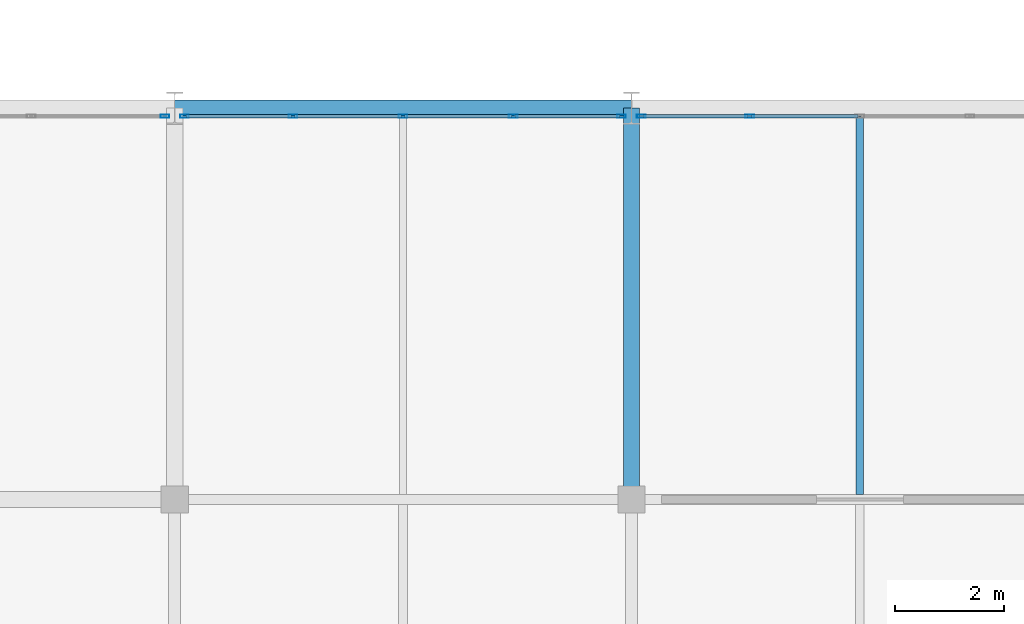
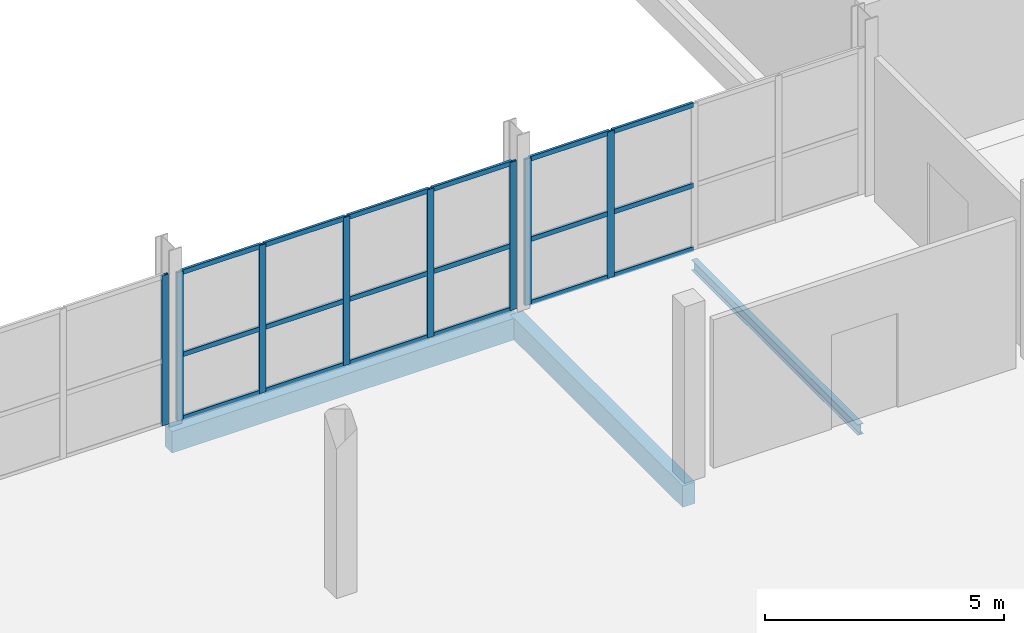
# One storey, part 45 of 109: 26 members, 3 beams, 3 elements without a shape of their own.
"""IFC4 building model written with IfcOpenShell, lengths in metres."""

from ifc_helpers import new_model, si_unit, direction, frame, origin, origin_2d, place, context, subcontext, project, spatial, rectangle, hollow_rectangle, i_section, extrude, material, material_profile, profile_set, type_object, element, aggregate, save


model = new_model("IFC4")

# Units and contexts
model_context = context("Model", 3, precision=1e-05, world=origin(), true_north=direction((0.0, 1.0)))
body_context = subcontext(model_context, "Body", "Model", "MODEL_VIEW")
ifc_project = project(units=[si_unit("LENGTHUNIT", "METRE"), si_unit("AREAUNIT", "SQUARE_METRE"), si_unit("VOLUMEUNIT", "CUBIC_METRE"), si_unit("PLANEANGLEUNIT", "RADIAN"), si_unit("MASSUNIT", "GRAM", prefix="KILO")], contexts=[model_context])

# Site, building, storey
site_placement = place(None, origin())
site = spatial("IfcSite", under=ifc_project, at=site_placement, CompositionType="ELEMENT")
building_placement = place(site_placement, origin())
building = spatial("IfcBuilding", under=site, at=building_placement, Name="Veltarok Museum of Natural Sciences", CompositionType="ELEMENT")
storey_placement = place(building_placement, frame((0.0, 0.0, 17.39990234375)))
storey = spatial("IfcBuildingStorey", under=building, at=storey_placement, Name="L03", CompositionType="ELEMENT", Elevation=17.39990234375)

# Curtain wall, members
ifc_material_1 = material(Name="Low-iron triple insulated glass", Category="glass")
curtain_wall_type_1 = type_object("IfcCurtainWallType", Name="Curtain Wall System CW-V5CN-L03-2-810x378 (CW-V5CN L03 810x378cm)", PredefinedType="NOTDEFINED", material=ifc_material_1)
curtain_wall_1_placement = place(storey_placement, origin())
curtain_wall_1 = element("IfcCurtainWall", 1, at=curtain_wall_1_placement, inside=storey, type_object=curtain_wall_type_1, Name="Curtain Wall CW-V5CN-L03-2-810x378 CW-0194", PredefinedType="NOTDEFINED")
ifc_material_2 = material(Name="Thermally broken anodised aluminium", Category="aluminium")
ifc_material_profile_1 = material_profile(ifc_material_2, hollow_rectangle(XDim=0.06005859375, YDim=0.1201171875, WallThickness=0.0048828125, at=origin_2d()), Name="CW TRANSOM 60x120x5")
ifc_profile_set_1 = profile_set([ifc_material_profile_1], Name="Thermally broken anodised aluminium")
member_type_1 = type_object("IfcMemberType", Name="Curtain Wall Horizontal Transom 60x120x5", PredefinedType="USERDEFINED", material=ifc_profile_set_1)
member_1_placement = place(storey_placement, frame((123.7900390625, 26.25, 0.028076171875), z_axis=(-1.0, 0.0, 0.0), x_axis=(0.0, -1.0, 0.0)))
member_1 = element("IfcMember", 2, at=member_1_placement, type_object=member_type_1, Name="CW-V5CN-L03-2-810x378 transom 1.1", ObjectType="TRANSOM", PredefinedType="USERDEFINED", context=body_context, shape_type="SweptSolid", body=[
    extrude(hollow_rectangle(XDim=0.06005859375, YDim=0.1201171875, WallThickness=0.0048828125, at=origin_2d()), origin(), (0.0, 0.0, 1.0), 1.93505859375),
])
member_2_placement = place(storey_placement, frame((123.7900390625, 26.25, 1.648193359375), z_axis=(-1.0, 0.0, 0.0), x_axis=(0.0, -1.0, 0.0)))
member_2 = element("IfcMember", 3, at=member_2_placement, type_object=member_type_1, Name="CW-V5CN-L03-2-810x378 transom 1.2", ObjectType="TRANSOM", PredefinedType="USERDEFINED", context=body_context, shape_type="SweptSolid", body=[
    extrude(hollow_rectangle(XDim=0.06005859375, YDim=0.1201171875, WallThickness=0.0048828125, at=origin_2d()), origin(), (0.0, 0.0, 1.0), 1.93505859375),
])
member_3_placement = place(storey_placement, frame((123.7900390625, 26.25, 3.75), z_axis=(-1.0, 0.0, 0.0), x_axis=(0.0, -1.0, 0.0)))
member_3 = element("IfcMember", 4, at=member_3_placement, type_object=member_type_1, Name="CW-V5CN-L03-2-810x378 transom 1.3", ObjectType="TRANSOM", PredefinedType="USERDEFINED", context=body_context, shape_type="SweptSolid", body=[
    extrude(hollow_rectangle(XDim=0.06005859375, YDim=0.1201171875, WallThickness=0.0048828125, at=origin_2d()), origin(), (0.0, 0.0, 1.0), 1.93505859375),
])
member_4_placement = place(storey_placement, frame((121.794921875, 26.25, 0.028076171875), z_axis=(-1.0, 0.0, 0.0), x_axis=(0.0, -1.0, 0.0)))
member_4 = element("IfcMember", 5, at=member_4_placement, type_object=member_type_1, Name="CW-V5CN-L03-2-810x378 transom 2.1", ObjectType="TRANSOM", PredefinedType="USERDEFINED", context=body_context, shape_type="SweptSolid", body=[
    extrude(hollow_rectangle(XDim=0.06005859375, YDim=0.1201171875, WallThickness=0.0048828125, at=origin_2d()), origin(), (0.0, 0.0, 1.0), 1.96484375),
])
member_5_placement = place(storey_placement, frame((121.794921875, 26.25, 1.648193359375), z_axis=(-1.0, 0.0, 0.0), x_axis=(0.0, -1.0, 0.0)))
member_5 = element("IfcMember", 6, at=member_5_placement, type_object=member_type_1, Name="CW-V5CN-L03-2-810x378 transom 2.2", ObjectType="TRANSOM", PredefinedType="USERDEFINED", context=body_context, shape_type="SweptSolid", body=[
    extrude(hollow_rectangle(XDim=0.06005859375, YDim=0.1201171875, WallThickness=0.0048828125, at=origin_2d()), origin(), (0.0, 0.0, 1.0), 1.96484375),
])
member_6_placement = place(storey_placement, frame((121.794921875, 26.25, 3.75), z_axis=(-1.0, 0.0, 0.0), x_axis=(0.0, -1.0, 0.0)))
member_6 = element("IfcMember", 7, at=member_6_placement, type_object=member_type_1, Name="CW-V5CN-L03-2-810x378 transom 2.3", ObjectType="TRANSOM", PredefinedType="USERDEFINED", context=body_context, shape_type="SweptSolid", body=[
    extrude(hollow_rectangle(XDim=0.06005859375, YDim=0.1201171875, WallThickness=0.0048828125, at=origin_2d()), origin(), (0.0, 0.0, 1.0), 1.96484375),
])
member_7_placement = place(storey_placement, frame((119.77001953125, 26.25, 0.028076171875), z_axis=(-1.0, 0.0, 0.0), x_axis=(0.0, -1.0, 0.0)))
member_7 = element("IfcMember", 8, at=member_7_placement, type_object=member_type_1, Name="CW-V5CN-L03-2-810x378 transom 3.1", ObjectType="TRANSOM", PredefinedType="USERDEFINED", context=body_context, shape_type="SweptSolid", body=[
    extrude(hollow_rectangle(XDim=0.06005859375, YDim=0.1201171875, WallThickness=0.0048828125, at=origin_2d()), origin(), (0.0, 0.0, 1.0), 1.965087890625),
])
member_8_placement = place(storey_placement, frame((119.77001953125, 26.25, 1.648193359375), z_axis=(-1.0, 0.0, 0.0), x_axis=(0.0, -1.0, 0.0)))
member_8 = element("IfcMember", 9, at=member_8_placement, type_object=member_type_1, Name="CW-V5CN-L03-2-810x378 transom 3.2", ObjectType="TRANSOM", PredefinedType="USERDEFINED", context=body_context, shape_type="SweptSolid", body=[
    extrude(hollow_rectangle(XDim=0.06005859375, YDim=0.1201171875, WallThickness=0.0048828125, at=origin_2d()), origin(), (0.0, 0.0, 1.0), 1.965087890625),
])
member_9_placement = place(storey_placement, frame((119.77001953125, 26.25, 3.75), z_axis=(-1.0, 0.0, 0.0), x_axis=(0.0, -1.0, 0.0)))
member_9 = element("IfcMember", 10, at=member_9_placement, type_object=member_type_1, Name="CW-V5CN-L03-2-810x378 transom 3.3", ObjectType="TRANSOM", PredefinedType="USERDEFINED", context=body_context, shape_type="SweptSolid", body=[
    extrude(hollow_rectangle(XDim=0.06005859375, YDim=0.1201171875, WallThickness=0.0048828125, at=origin_2d()), origin(), (0.0, 0.0, 1.0), 1.965087890625),
])
member_10_placement = place(storey_placement, frame((117.7451171875, 26.25, 0.028076171875), z_axis=(-1.0, 0.0, 0.0), x_axis=(0.0, -1.0, 0.0)))
member_10 = element("IfcMember", 11, at=member_10_placement, type_object=member_type_1, Name="CW-V5CN-L03-2-810x378 transom 4.1", ObjectType="TRANSOM", PredefinedType="USERDEFINED", context=body_context, shape_type="SweptSolid", body=[
    extrude(hollow_rectangle(XDim=0.06005859375, YDim=0.1201171875, WallThickness=0.0048828125, at=origin_2d()), origin(), (0.0, 0.0, 1.0), 1.93505859375),
])
member_11_placement = place(storey_placement, frame((117.7451171875, 26.25, 1.648193359375), z_axis=(-1.0, 0.0, 0.0), x_axis=(0.0, -1.0, 0.0)))
member_11 = element("IfcMember", 12, at=member_11_placement, type_object=member_type_1, Name="CW-V5CN-L03-2-810x378 transom 4.2", ObjectType="TRANSOM", PredefinedType="USERDEFINED", context=body_context, shape_type="SweptSolid", body=[
    extrude(hollow_rectangle(XDim=0.06005859375, YDim=0.1201171875, WallThickness=0.0048828125, at=origin_2d()), origin(), (0.0, 0.0, 1.0), 1.93505859375),
])
member_12_placement = place(storey_placement, frame((117.7451171875, 26.25, 3.75), z_axis=(-1.0, 0.0, 0.0), x_axis=(0.0, -1.0, 0.0)))
member_12 = element("IfcMember", 13, at=member_12_placement, type_object=member_type_1, Name="CW-V5CN-L03-2-810x378 transom 4.3", ObjectType="TRANSOM", PredefinedType="USERDEFINED", context=body_context, shape_type="SweptSolid", body=[
    extrude(hollow_rectangle(XDim=0.06005859375, YDim=0.1201171875, WallThickness=0.0048828125, at=origin_2d()), origin(), (0.0, 0.0, 1.0), 1.93505859375),
])

curtain_wall_type_2 = type_object("IfcCurtainWallType", Name="Curtain Wall System CW-V5CN-L03-3-810x373 (CW-V5CN L03 810x373cm)", PredefinedType="NOTDEFINED", material=ifc_material_1)
curtain_wall_2_placement = place(storey_placement, origin())
curtain_wall_2 = element("IfcCurtainWall", 14, at=curtain_wall_2_placement, inside=storey, type_object=curtain_wall_type_2, Name="Curtain Wall CW-V5CN-L03-3-810x373 CW-0195", PredefinedType="NOTDEFINED")
member_13_placement = place(storey_placement, frame((128.169921875, 26.25, 0.028076171875), z_axis=(-1.0, 0.0, 0.0), x_axis=(0.0, -1.0, 0.0)))
member_13 = element("IfcMember", 15, at=member_13_placement, type_object=member_type_1, Name="CW-V5CN-L03-3-810x373 transom 3.1", ObjectType="TRANSOM", PredefinedType="USERDEFINED", context=body_context, shape_type="SweptSolid", body=[
    extrude(hollow_rectangle(XDim=0.06005859375, YDim=0.1201171875, WallThickness=0.0048828125, at=origin_2d()), origin(), (0.0, 0.0, 1.0), 1.96484375),
])
member_14_placement = place(storey_placement, frame((128.169921875, 26.25, 1.648193359375), z_axis=(-1.0, 0.0, 0.0), x_axis=(0.0, -1.0, 0.0)))
member_14 = element("IfcMember", 16, at=member_14_placement, type_object=member_type_1, Name="CW-V5CN-L03-3-810x373 transom 3.2", ObjectType="TRANSOM", PredefinedType="USERDEFINED", context=body_context, shape_type="SweptSolid", body=[
    extrude(hollow_rectangle(XDim=0.06005859375, YDim=0.1201171875, WallThickness=0.0048828125, at=origin_2d()), origin(), (0.0, 0.0, 1.0), 1.96484375),
])
member_15_placement = place(storey_placement, frame((128.169921875, 26.25, 3.7001953125), z_axis=(-1.0, 0.0, 0.0), x_axis=(0.0, -1.0, 0.0)))
member_15 = element("IfcMember", 17, at=member_15_placement, type_object=member_type_1, Name="CW-V5CN-L03-3-810x373 transom 3.3", ObjectType="TRANSOM", PredefinedType="USERDEFINED", context=body_context, shape_type="SweptSolid", body=[
    extrude(hollow_rectangle(XDim=0.06005859375, YDim=0.1201171875, WallThickness=0.0048828125, at=origin_2d()), origin(), (0.0, 0.0, 1.0), 1.96484375),
])
member_16_placement = place(storey_placement, frame((126.14501953125, 26.25, 0.028076171875), z_axis=(-1.0, 0.0, 0.0), x_axis=(0.0, -1.0, 0.0)))
member_16 = element("IfcMember", 18, at=member_16_placement, type_object=member_type_1, Name="CW-V5CN-L03-3-810x373 transom 4.1", ObjectType="TRANSOM", PredefinedType="USERDEFINED", context=body_context, shape_type="SweptSolid", body=[
    extrude(hollow_rectangle(XDim=0.06005859375, YDim=0.1201171875, WallThickness=0.0048828125, at=origin_2d()), origin(), (0.0, 0.0, 1.0), 1.93505859375),
])
member_17_placement = place(storey_placement, frame((126.14501953125, 26.25, 1.648193359375), z_axis=(-1.0, 0.0, 0.0), x_axis=(0.0, -1.0, 0.0)))
member_17 = element("IfcMember", 19, at=member_17_placement, type_object=member_type_1, Name="CW-V5CN-L03-3-810x373 transom 4.2", ObjectType="TRANSOM", PredefinedType="USERDEFINED", context=body_context, shape_type="SweptSolid", body=[
    extrude(hollow_rectangle(XDim=0.06005859375, YDim=0.1201171875, WallThickness=0.0048828125, at=origin_2d()), origin(), (0.0, 0.0, 1.0), 1.93505859375),
])
member_18_placement = place(storey_placement, frame((126.14501953125, 26.25, 3.7001953125), z_axis=(-1.0, 0.0, 0.0), x_axis=(0.0, -1.0, 0.0)))
member_18 = element("IfcMember", 20, at=member_18_placement, type_object=member_type_1, Name="CW-V5CN-L03-3-810x373 transom 4.3", ObjectType="TRANSOM", PredefinedType="USERDEFINED", context=body_context, shape_type="SweptSolid", body=[
    extrude(hollow_rectangle(XDim=0.06005859375, YDim=0.1201171875, WallThickness=0.0048828125, at=origin_2d()), origin(), (0.0, 0.0, 1.0), 1.93505859375),
])

# Curtain wall, member
curtain_wall_type_3 = type_object("IfcCurtainWallType", Name="Curtain Wall System CW-V5CN-L03-1-747x383 (CW-V5CN L03 747x383cm)", PredefinedType="NOTDEFINED", material=ifc_material_1)
curtain_wall_3_placement = place(storey_placement, origin())
curtain_wall_3 = element("IfcCurtainWall", 21, at=curtain_wall_3_placement, inside=storey, type_object=curtain_wall_type_3, Name="Curtain Wall CW-V5CN-L03-1-747x383 CW-0193", PredefinedType="NOTDEFINED")
ifc_material_profile_2 = material_profile(ifc_material_2, hollow_rectangle(XDim=0.06005859375, YDim=0.159912109375, WallThickness=0.0048828125, at=origin_2d()), Name="CW MULLION 60x160x5")
ifc_profile_set_2 = profile_set([ifc_material_profile_2], Name="Thermally broken anodised aluminium")
member_type_2 = type_object("IfcMemberType", Name="Curtain Wall Vertical Mullion 60x160x5", PredefinedType="MULLION", material=ifc_profile_set_2)
member_19_placement = place(storey_placement, frame((115.419921875, 26.25, -0.001953125), z_axis=(0.0, 0.0, 1.0), x_axis=(0.0, -1.0, 0.0)))
member_19 = element("IfcMember", 22, at=member_19_placement, type_object=member_type_2, Name="CW-V5CN-L03-1-747x383 mullion 1", PredefinedType="MULLION", context=body_context, shape_type="SweptSolid", body=[
    extrude(hollow_rectangle(XDim=0.06005859375, YDim=0.159912109375, WallThickness=0.0048828125, at=origin_2d()), origin(), (0.0, 0.0, 1.0), 3.83203125),
])
aggregate(curtain_wall_3, [member_19])

# Member
member_20_placement = place(storey_placement, frame((123.820068359375, 26.25, -0.001953125), z_axis=(0.0, 0.0, 1.0), x_axis=(0.0, -1.0, 0.0)))
member_20 = element("IfcMember", 23, at=member_20_placement, type_object=member_type_2, Name="CW-V5CN-L03-2-810x378 mullion 1", PredefinedType="MULLION", context=body_context, shape_type="SweptSolid", body=[
    extrude(hollow_rectangle(XDim=0.06005859375, YDim=0.159912109375, WallThickness=0.0048828125, at=origin_2d()), origin(), (0.0, 0.0, 1.0), 3.781982421875),
])

member_21_placement = place(storey_placement, frame((121.824951171875, 26.25, -0.001953125), z_axis=(0.0, 0.0, 1.0), x_axis=(0.0, -1.0, 0.0)))
member_21 = element("IfcMember", 24, at=member_21_placement, type_object=member_type_2, Name="CW-V5CN-L03-2-810x378 mullion 2", PredefinedType="MULLION", context=body_context, shape_type="SweptSolid", body=[
    extrude(hollow_rectangle(XDim=0.06005859375, YDim=0.159912109375, WallThickness=0.0048828125, at=origin_2d()), origin(), (0.0, 0.0, 1.0), 3.781982421875),
])

member_22_placement = place(storey_placement, frame((119.800048828125, 26.25, -0.001953125), z_axis=(0.0, 0.0, 1.0), x_axis=(0.0, -1.0, 0.0)))
member_22 = element("IfcMember", 25, at=member_22_placement, type_object=member_type_2, Name="CW-V5CN-L03-2-810x378 mullion 3", PredefinedType="MULLION", context=body_context, shape_type="SweptSolid", body=[
    extrude(hollow_rectangle(XDim=0.06005859375, YDim=0.159912109375, WallThickness=0.0048828125, at=origin_2d()), origin(), (0.0, 0.0, 1.0), 3.781982421875),
])

member_23_placement = place(storey_placement, frame((117.77490234375, 26.25, -0.001953125), z_axis=(0.0, 0.0, 1.0), x_axis=(0.0, -1.0, 0.0)))
member_23 = element("IfcMember", 26, at=member_23_placement, type_object=member_type_2, Name="CW-V5CN-L03-2-810x378 mullion 4", PredefinedType="MULLION", context=body_context, shape_type="SweptSolid", body=[
    extrude(hollow_rectangle(XDim=0.06005859375, YDim=0.159912109375, WallThickness=0.0048828125, at=origin_2d()), origin(), (0.0, 0.0, 1.0), 3.781982421875),
])

member_24_placement = place(storey_placement, frame((115.780029296875, 26.25, -0.001953125), z_axis=(0.0, 0.0, 1.0), x_axis=(0.0, -1.0, 0.0)))
member_24 = element("IfcMember", 27, at=member_24_placement, type_object=member_type_2, Name="CW-V5CN-L03-2-810x378 mullion 5", PredefinedType="MULLION", context=body_context, shape_type="SweptSolid", body=[
    extrude(hollow_rectangle(XDim=0.06005859375, YDim=0.159912109375, WallThickness=0.0048828125, at=origin_2d()), origin(), (0.0, 0.0, 1.0), 3.781982421875),
])

aggregate(curtain_wall_1, [member_20, member_21, member_22, member_23, member_24, member_1, member_2, member_3, member_4, member_5, member_6, member_7, member_8, member_9, member_10, member_11, member_12])

member_25_placement = place(storey_placement, frame((126.175048828125, 26.25, -0.001953125), z_axis=(0.0, 0.0, 1.0), x_axis=(0.0, -1.0, 0.0)))
member_25 = element("IfcMember", 28, at=member_25_placement, type_object=member_type_2, Name="CW-V5CN-L03-3-810x373 mullion 4", PredefinedType="MULLION", context=body_context, shape_type="SweptSolid", body=[
    extrude(hollow_rectangle(XDim=0.06005859375, YDim=0.159912109375, WallThickness=0.0048828125, at=origin_2d()), origin(), (0.0, 0.0, 1.0), 3.73193359375),
])

member_26_placement = place(storey_placement, frame((124.179931640625, 26.25, -0.001953125), z_axis=(0.0, 0.0, 1.0), x_axis=(0.0, -1.0, 0.0)))
member_26 = element("IfcMember", 29, at=member_26_placement, type_object=member_type_2, Name="CW-V5CN-L03-3-810x373 mullion 5", PredefinedType="MULLION", context=body_context, shape_type="SweptSolid", body=[
    extrude(hollow_rectangle(XDim=0.06005859375, YDim=0.159912109375, WallThickness=0.0048828125, at=origin_2d()), origin(), (0.0, 0.0, 1.0), 3.73193359375),
])

aggregate(curtain_wall_2, [member_25, member_26, member_13, member_14, member_15, member_16, member_17, member_18])

# Beams
ifc_material_3 = material(Name="Precast concrete C40/50", Category="concrete")
ifc_material_profile_3 = material_profile(ifc_material_3, rectangle(XDim=0.300048828125, YDim=0.550048828125, at=origin_2d()), Name="RC 300x550")
ifc_profile_set_3 = profile_set([ifc_material_profile_3], Name="Precast concrete C40/50")
beam_type_1 = type_object("IfcBeamType", Name="East Wing Precast Spandrel RC 300x550", PredefinedType="SPANDREL", material=ifc_profile_set_3)
beam_1_placement = place(storey_placement, frame((115.60009765625, 26.39990234375, -0.52490234375), z_axis=(1.0, 0.0, 0.0), x_axis=(0.0, 1.0, 0.0)))
element("IfcBeam", 30, at=beam_1_placement, inside=storey, type_object=beam_type_1, Name="Beam BM-SP02 L03 14-15/D", PredefinedType="SPANDREL", context=body_context, shape_type="SweptSolid", body=[
    extrude(rectangle(XDim=0.300048828125, YDim=0.550048828125, at=origin_2d()), origin(), (0.0, 0.0, 1.0), 8.39990234375),
])
beam_2_placement = place(storey_placement, frame((124.0, 19.199951171875, -0.52490234375), z_axis=(0.0, 1.0, 0.0), x_axis=(-1.0, 0.0, 0.0)))
element("IfcBeam", 31, at=beam_2_placement, inside=storey, type_object=beam_type_1, Name="Beam BM-SP02 L03 15/C-D", PredefinedType="SPANDREL", context=body_context, shape_type="SweptSolid", body=[
    extrude(rectangle(XDim=0.300048828125, YDim=0.550048828125, at=origin_2d()), origin(), (0.0, 0.0, 1.0), 7.199951171875),
])
ifc_material_4 = material(Name="Steel S355J2", Category="steel")
ifc_material_profile_4 = material_profile(ifc_material_4, i_section(OverallWidth=0.135009765625, OverallDepth=0.27001953125, WebThickness=0.006591796875, FlangeThickness=0.01025390625, FilletRadius=0.014892578125, at=origin_2d()), Name="IPE 270")
ifc_profile_set_4 = profile_set([ifc_material_profile_4], Name="Steel S355J2")
beam_type_2 = type_object("IfcBeamType", Name="Short-Bay Composite Joist IPE 270", PredefinedType="JOIST", material=ifc_profile_set_4)
beam_3_placement = place(storey_placement, frame((128.199951171875, 19.29296875, -0.385009765625), z_axis=(0.0, 1.0, 0.0), x_axis=(-1.0, 0.0, 0.0)))
element("IfcBeam", 32, at=beam_3_placement, inside=storey, type_object=beam_type_2, Name="Secondary Joist BM-J04 L03 15-16/C-D.1", PredefinedType="JOIST", context=body_context, shape_type="SweptSolid", body=[
    extrude(i_section(OverallWidth=0.135009765625, OverallDepth=0.27001953125, WebThickness=0.006591796875, FlangeThickness=0.01025390625, FilletRadius=0.014892578125, at=origin_2d()), origin(), (0.0, 0.0, 1.0), 6.958984375),
])

save(model, "model.ifc")
